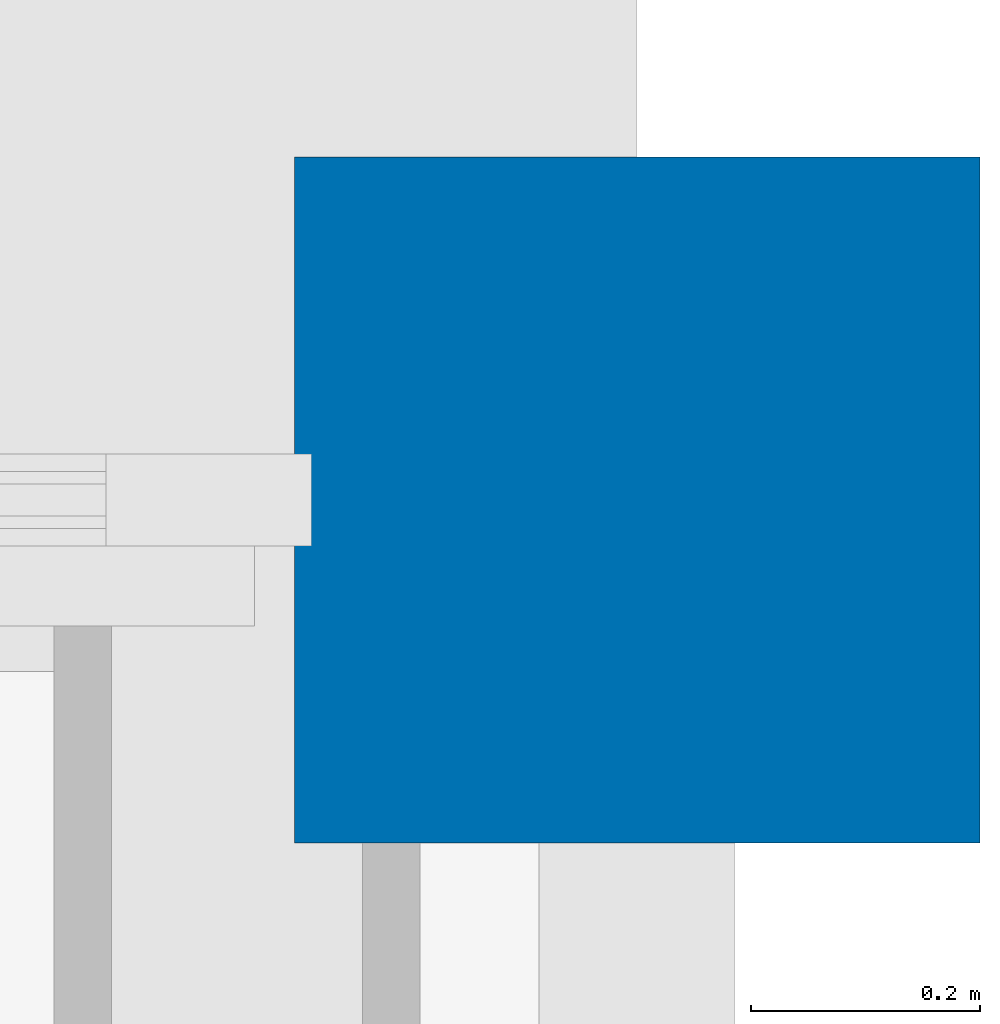
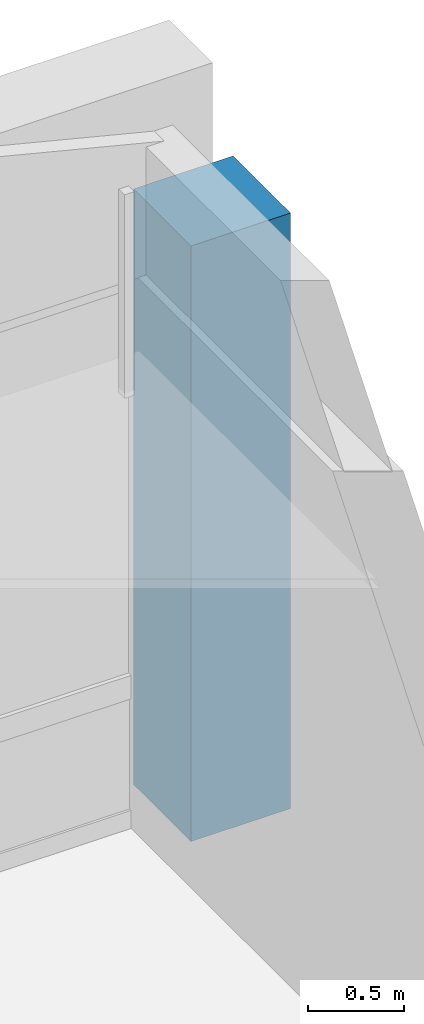
# One storey, part 17 of 110: 1 column.
"""IFC4 building model written with IfcOpenShell, lengths in metres."""

from ifc_helpers import new_model, si_unit, direction, frame, origin, origin_2d, place, context, subcontext, project, spatial, rectangle, extrude, material, material_profile, profile_set, type_object, element, save


model = new_model("IFC4")

# Units and contexts
model_context = context("Model", 3, precision=1e-05, world=origin(), true_north=direction((0.0, 1.0)))
body_context = subcontext(model_context, "Body", "Model", "MODEL_VIEW")
ifc_project = project(units=[si_unit("LENGTHUNIT", "METRE"), si_unit("AREAUNIT", "SQUARE_METRE"), si_unit("VOLUMEUNIT", "CUBIC_METRE"), si_unit("PLANEANGLEUNIT", "RADIAN"), si_unit("MASSUNIT", "GRAM", prefix="KILO")], contexts=[model_context])

# Site, building, storey
site_placement = place(None, origin())
site = spatial("IfcSite", under=ifc_project, at=site_placement, CompositionType="ELEMENT")
building_placement = place(site_placement, origin())
building = spatial("IfcBuilding", under=site, at=building_placement, Name="Dunescarp Central Library", CompositionType="ELEMENT")
storey_placement = place(building_placement, frame((0.0, 0.0, 9.60009765625)))
storey = spatial("IfcBuildingStorey", under=building, at=storey_placement, Name="L02", CompositionType="ELEMENT", Elevation=9.60009765625)

# Column
ifc_material = material(Name="Concrete C40/50", Category="concrete")
ifc_material_profile = material_profile(ifc_material, rectangle(XDim=0.60009765625, YDim=0.60009765625, at=origin_2d()), Name="RC 600x600")
ifc_profile_set = profile_set([ifc_material_profile], Name="Concrete C40/50")
column_type = type_object("IfcColumnType", Name="STR-COL-RC600", PredefinedType="COLUMN", material=ifc_profile_set)
column_placement = place(storey_placement, frame((168.0, 44.800048828125, 0.0), z_axis=(0.0, 0.0, 1.0), x_axis=(1.0, 0.0, 0.0)))
element("IfcColumn", 1, at=column_placement, inside=storey, type_object=column_type, Name="L02 column V5-1680-448", PredefinedType="COLUMN", context=body_context, shape_type="SweptSolid", body=[
    extrude(rectangle(XDim=0.60009765625, YDim=0.60009765625, at=origin_2d()), origin(), (0.0, 0.0, 1.0), 3.79296875),
])

save(model, "model.ifc")
